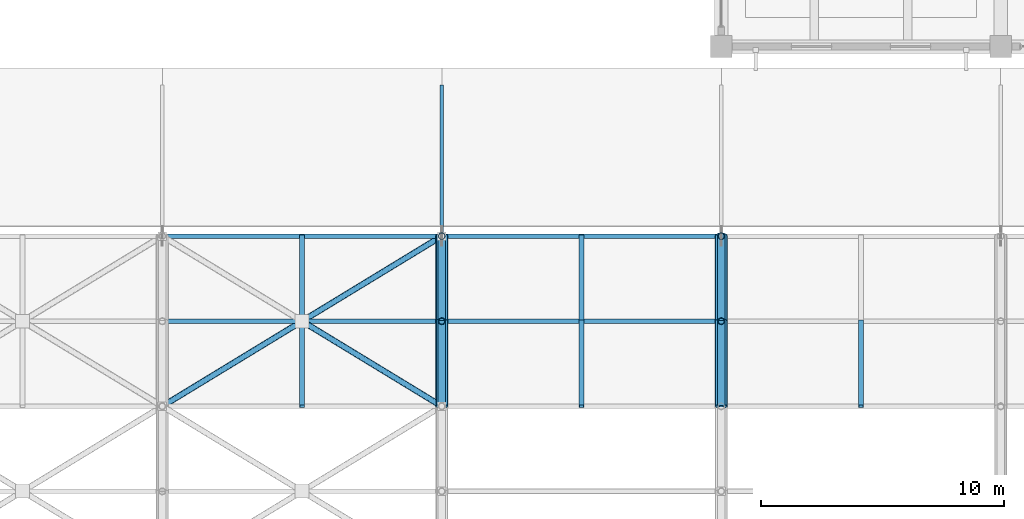
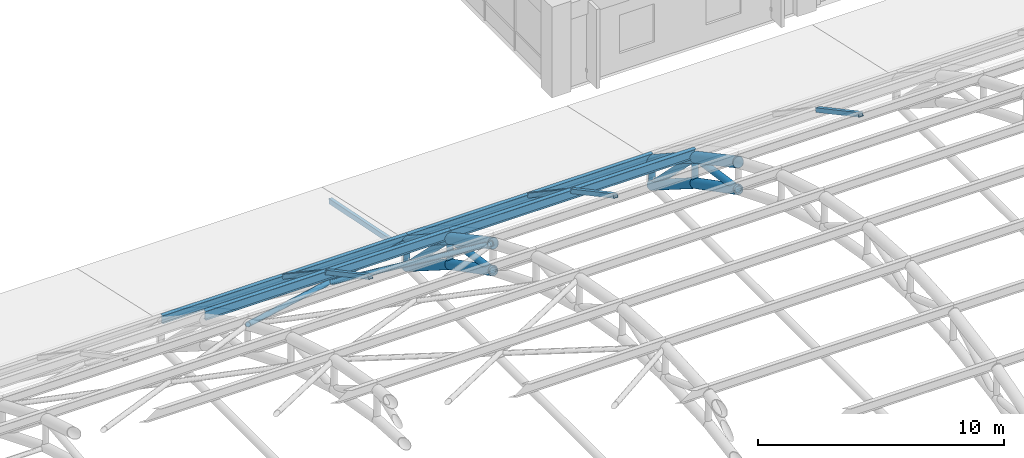
# One storey, part 81 of 154: 28 members.
"""IFC4 building model written with IfcOpenShell, lengths in metres."""

from ifc_helpers import new_model, si_unit, direction, frame, origin, origin_2d, place, context, subcontext, project, spatial, hollow_rectangle, hollow_circle, i_section, extrude, material, material_profile, profile_set, type_object, element, save


model = new_model("IFC4")

# Units and contexts
model_context = context("Model", 3, precision=1e-05, world=origin(), true_north=direction((0.0, 1.0)))
body_context = subcontext(model_context, "Body", "Model", "MODEL_VIEW")
ifc_project = project(units=[si_unit("LENGTHUNIT", "METRE"), si_unit("AREAUNIT", "SQUARE_METRE"), si_unit("VOLUMEUNIT", "CUBIC_METRE"), si_unit("PLANEANGLEUNIT", "RADIAN"), si_unit("MASSUNIT", "GRAM", prefix="KILO")], contexts=[model_context])

# Site, building, storey
site_placement = place(None, origin())
site = spatial("IfcSite", under=ifc_project, at=site_placement, CompositionType="ELEMENT")
building_placement = place(site_placement, origin())
building = spatial("IfcBuilding", under=site, at=building_placement, Name="Ologun Quay Terminus", CompositionType="ELEMENT")
storey_placement = place(building_placement, frame((0.0, 0.0, 13.800048828125)))
storey = spatial("IfcBuildingStorey", under=building, at=storey_placement, Name="L03", CompositionType="ELEMENT", Elevation=13.800048828125)

# Members
ifc_material_1 = material(Name="Steel S355", Category="steel")
ifc_material_profile_1 = material_profile(ifc_material_1, hollow_circle(Radius=0.136474609375, WallThickness=0.010009765625, at=origin_2d()), Name="CHS 273x10")
ifc_profile_set_1 = profile_set([ifc_material_profile_1], Name="Steel S355")
member_type_1 = type_object("IfcMemberType", Name="Arch Truss Vertical Post CHS273", PredefinedType="STRUT", material=ifc_profile_set_1)
member_1_placement = place(storey_placement, frame((103.5, 74.5, 2.212158203125), z_axis=(0.0, 0.0, 1.0), x_axis=(1.0, 0.0, 0.0)))
element("IfcMember", 1, at=member_1_placement, inside=storey, type_object=member_type_1, Name="AW2 Arch Web Post 10-N11", PredefinedType="STRUT", context=body_context, shape_type="SweptSolid", body=[
    extrude(hollow_circle(Radius=0.136474609375, WallThickness=0.010009765625, at=origin_2d()), origin(), (0.0, 0.0, 1.0), 1.28564453125),
])
member_2_placement = place(storey_placement, frame((103.5, 78.0, 0.0), z_axis=(0.0, 0.0, 1.0), x_axis=(1.0, 0.0, 0.0)))
element("IfcMember", 2, at=member_2_placement, inside=storey, type_object=member_type_1, Name="AW2 Arch Web Post 10-N12", PredefinedType="STRUT", context=body_context, shape_type="SweptSolid", body=[
    extrude(hollow_circle(Radius=0.136474609375, WallThickness=0.010009765625, at=origin_2d()), origin(), (0.0, 0.0, 1.0), 1.199951171875),
])
member_3_placement = place(storey_placement, frame((115.0, 74.5, 2.212158203125), z_axis=(0.0, 0.0, 1.0), x_axis=(1.0, 0.0, 0.0)))
element("IfcMember", 3, at=member_3_placement, inside=storey, type_object=member_type_1, Name="AW2 Arch Web Post 11-N11", PredefinedType="STRUT", context=body_context, shape_type="SweptSolid", body=[
    extrude(hollow_circle(Radius=0.136474609375, WallThickness=0.010009765625, at=origin_2d()), origin(), (0.0, 0.0, 1.0), 1.28564453125),
])
member_4_placement = place(storey_placement, frame((115.0, 78.0, 0.0), z_axis=(0.0, 0.0, 1.0), x_axis=(1.0, 0.0, 0.0)))
element("IfcMember", 4, at=member_4_placement, inside=storey, type_object=member_type_1, Name="AW2 Arch Web Post 11-N12", PredefinedType="STRUT", context=body_context, shape_type="SweptSolid", body=[
    extrude(hollow_circle(Radius=0.136474609375, WallThickness=0.010009765625, at=origin_2d()), origin(), (0.0, 0.0, 1.0), 1.199951171875),
])
ifc_material_2 = material(Name="Steel S355", Category="steel")
ifc_material_profile_2 = material_profile(ifc_material_2, hollow_circle(Radius=0.161865234375, WallThickness=0.010009765625, at=origin_2d()), Name="CHS 323.9x10")
ifc_profile_set_2 = profile_set([ifc_material_profile_2], Name="Steel S355")
member_type_2 = type_object("IfcMemberType", Name="Arch Truss Web Diagonal CHS323", PredefinedType="BRACE", material=ifc_profile_set_2)
member_5_placement = place(storey_placement, frame((103.5, 71.0, 4.022216796875), z_axis=(0.0, 0.988960627525, -0.148178531524), x_axis=(-1.0, 0.0, 0.0)))
element("IfcMember", 5, at=member_5_placement, inside=storey, type_object=member_type_2, Name="AW1 Arch Web Diagonal 10-P11", PredefinedType="BRACE", context=body_context, shape_type="SweptSolid", body=[
    extrude(hollow_circle(Radius=0.161865234375, WallThickness=0.010009765625, at=origin_2d()), origin(), (0.0, 0.0, 1.0), 3.5390625),
])
member_6_placement = place(storey_placement, frame((103.5, 74.5, 3.497802734375), z_axis=(0.0, 0.707328773357, -0.706884719301), x_axis=(-1.0, 0.0, 0.0)))
element("IfcMember", 6, at=member_6_placement, inside=storey, type_object=member_type_2, Name="AW1 Arch Web Diagonal 10-P12", PredefinedType="BRACE", context=body_context, shape_type="SweptSolid", body=[
    extrude(hollow_circle(Radius=0.161865234375, WallThickness=0.010009765625, at=origin_2d()), origin(), (0.0, 0.0, 1.0), 4.9482421875),
])
member_7_placement = place(storey_placement, frame((115.0, 71.0, 4.022216796875), z_axis=(0.0, 0.988960627525, -0.148178531524), x_axis=(-1.0, 0.0, 0.0)))
element("IfcMember", 7, at=member_7_placement, inside=storey, type_object=member_type_2, Name="AW1 Arch Web Diagonal 11-P11", PredefinedType="BRACE", context=body_context, shape_type="SweptSolid", body=[
    extrude(hollow_circle(Radius=0.161865234375, WallThickness=0.010009765625, at=origin_2d()), origin(), (0.0, 0.0, 1.0), 3.5390625),
])
member_8_placement = place(storey_placement, frame((115.0, 74.5, 3.497802734375), z_axis=(0.0, 0.707328773357, -0.706884719301), x_axis=(-1.0, 0.0, 0.0)))
element("IfcMember", 8, at=member_8_placement, inside=storey, type_object=member_type_2, Name="AW1 Arch Web Diagonal 11-P12", PredefinedType="BRACE", context=body_context, shape_type="SweptSolid", body=[
    extrude(hollow_circle(Radius=0.161865234375, WallThickness=0.010009765625, at=origin_2d()), origin(), (0.0, 0.0, 1.0), 4.9482421875),
])
ifc_material_3 = material(Name="Steel S355", Category="steel")
ifc_material_profile_3 = material_profile(ifc_material_3, hollow_circle(Radius=0.228515625, WallThickness=0.01611328125, at=origin_2d()), Name="CHS 457x16")
ifc_profile_set_3 = profile_set([ifc_material_profile_3], Name="Steel S355")
member_type_3 = type_object("IfcMemberType", Name="Parabolic Arch Bottom Chord CHS457", PredefinedType="CHORD", material=ifc_profile_set_3)
member_9_placement = place(storey_placement, frame((103.5, 71.0, 4.022216796875), z_axis=(0.0, 0.888247284083, -0.459365608551), x_axis=(-1.0, 0.0, 0.0)))
element("IfcMember", 9, at=member_9_placement, inside=storey, type_object=member_type_3, Name="AC2 Arch Bottom Chord 10-P11", PredefinedType="CHORD", context=body_context, shape_type="SweptSolid", body=[
    extrude(hollow_circle(Radius=0.228515625, WallThickness=0.01611328125, at=origin_2d()), origin(), (0.0, 0.0, 1.0), 3.9404296875),
])
member_10_placement = place(storey_placement, frame((103.5, 74.5, 2.212158203125), z_axis=(0.0, 0.845310912611, -0.534274705578), x_axis=(-1.0, 0.0, 0.0)))
element("IfcMember", 10, at=member_10_placement, inside=storey, type_object=member_type_3, Name="AC2 Arch Bottom Chord 10-P12", PredefinedType="CHORD", context=body_context, shape_type="SweptSolid", body=[
    extrude(hollow_circle(Radius=0.228515625, WallThickness=0.01611328125, at=origin_2d()), origin(), (0.0, 0.0, 1.0), 4.140380859375),
])
member_11_placement = place(storey_placement, frame((115.0, 71.0, 4.022216796875), z_axis=(0.0, 0.888247284083, -0.459365608551), x_axis=(-1.0, 0.0, 0.0)))
element("IfcMember", 11, at=member_11_placement, inside=storey, type_object=member_type_3, Name="AC2 Arch Bottom Chord 11-P11", PredefinedType="CHORD", context=body_context, shape_type="SweptSolid", body=[
    extrude(hollow_circle(Radius=0.228515625, WallThickness=0.01611328125, at=origin_2d()), origin(), (0.0, 0.0, 1.0), 3.9404296875),
])
member_12_placement = place(storey_placement, frame((115.0, 74.5, 2.212158203125), z_axis=(0.0, 0.845310912611, -0.534274705578), x_axis=(-1.0, 0.0, 0.0)))
element("IfcMember", 12, at=member_12_placement, inside=storey, type_object=member_type_3, Name="AC2 Arch Bottom Chord 11-P12", PredefinedType="CHORD", context=body_context, shape_type="SweptSolid", body=[
    extrude(hollow_circle(Radius=0.228515625, WallThickness=0.01611328125, at=origin_2d()), origin(), (0.0, 0.0, 1.0), 4.140380859375),
])
ifc_material_4 = material(Name="Steel S355", Category="steel")
ifc_material_profile_4 = material_profile(ifc_material_4, hollow_circle(Radius=0.25390625, WallThickness=0.01611328125, at=origin_2d()), Name="CHS 508x16")
ifc_profile_set_4 = profile_set([ifc_material_profile_4], Name="Steel S355")
member_type_4 = type_object("IfcMemberType", Name="Parabolic Arch Top Chord CHS508", PredefinedType="CHORD", material=ifc_profile_set_4)
member_13_placement = place(storey_placement, frame((103.5, 71.0, 5.377685546875), z_axis=(0.0, 0.880967864924, -0.473176099324), x_axis=(-1.0, 0.0, 0.0)))
element("IfcMember", 13, at=member_13_placement, inside=storey, type_object=member_type_4, Name="Arch Top Chord 10-P11", PredefinedType="CHORD", context=body_context, shape_type="SweptSolid", body=[
    extrude(hollow_circle(Radius=0.25390625, WallThickness=0.01611328125, at=origin_2d()), origin(), (0.0, 0.0, 1.0), 3.972900390625),
])
member_14_placement = place(storey_placement, frame((103.5, 74.5, 3.497802734375), z_axis=(0.0, 0.835940905918, -0.548819461949), x_axis=(-1.0, 0.0, 0.0)))
element("IfcMember", 14, at=member_14_placement, inside=storey, type_object=member_type_4, Name="Arch Top Chord 10-P12", PredefinedType="CHORD", context=body_context, shape_type="SweptSolid", body=[
    extrude(hollow_circle(Radius=0.25390625, WallThickness=0.01611328125, at=origin_2d()), origin(), (0.0, 0.0, 1.0), 4.18701171875),
])
member_15_placement = place(storey_placement, frame((115.0, 71.0, 5.377685546875), z_axis=(0.0, 0.880967864924, -0.473176099324), x_axis=(-1.0, 0.0, 0.0)))
element("IfcMember", 15, at=member_15_placement, inside=storey, type_object=member_type_4, Name="Arch Top Chord 11-P11", PredefinedType="CHORD", context=body_context, shape_type="SweptSolid", body=[
    extrude(hollow_circle(Radius=0.25390625, WallThickness=0.01611328125, at=origin_2d()), origin(), (0.0, 0.0, 1.0), 3.972900390625),
])
member_16_placement = place(storey_placement, frame((115.0, 74.5, 3.497802734375), z_axis=(0.0, 0.835940905918, -0.548819461949), x_axis=(-1.0, 0.0, 0.0)))
element("IfcMember", 16, at=member_16_placement, inside=storey, type_object=member_type_4, Name="Arch Top Chord 11-P12", PredefinedType="CHORD", context=body_context, shape_type="SweptSolid", body=[
    extrude(hollow_circle(Radius=0.25390625, WallThickness=0.01611328125, at=origin_2d()), origin(), (0.0, 0.0, 1.0), 4.18701171875),
])
ifc_material_5 = material(Name="Steel S355", Category="steel")
ifc_material_profile_5 = material_profile(ifc_material_5, hollow_circle(Radius=0.122314453125, WallThickness=0.008056640625, at=origin_2d()), Name="CHS 244.5x8")
ifc_profile_set_5 = profile_set([ifc_material_profile_5], Name="Steel S355")
member_type_5 = type_object("IfcMemberType", Name="Roof Plan Wind Brace Primary CHS244", PredefinedType="BRACE", material=ifc_profile_set_5)
member_17_placement = place(storey_placement, frame((92.0, 71.0, 5.377685546875), z_axis=(0.815821451603, 0.496586970541, -0.296372636715), x_axis=(-0.519946946896, 0.854198555614, 0.0)))
element("IfcMember", 17, at=member_17_placement, inside=storey, type_object=member_type_5, Name="Roof Wind Brace A B9-K10", PredefinedType="BRACE", context=body_context, shape_type="SweptSolid", body=[
    extrude(hollow_circle(Radius=0.122314453125, WallThickness=0.008056640625, at=origin_2d()), origin(), (0.0, 0.0, 1.0), 14.09619140625),
])
member_18_placement = place(storey_placement, frame((97.8642578125, 74.430419921875, 3.330322265625), z_axis=(0.815823185614, -0.496583416265, 0.29637381886), x_axis=(0.51994342513, 0.854200699288, 0.0)))
element("IfcMember", 18, at=member_18_placement, inside=storey, type_object=member_type_5, Name="Roof Wind Brace B2 B9-K10", PredefinedType="BRACE", context=body_context, shape_type="SweptSolid", body=[
    extrude(hollow_circle(Radius=0.122314453125, WallThickness=0.008056640625, at=origin_2d()), origin(), (0.0, 0.0, 1.0), 6.907958984375),
])
ifc_material_6 = material(Name="Steel S355", Category="steel")
ifc_material_profile_6 = material_profile(ifc_material_6, hollow_rectangle(XDim=0.199951171875, YDim=0.199951171875, WallThickness=0.008056640625, at=origin_2d()), Name="SHS 200x200x8")
ifc_profile_set_6 = profile_set([ifc_material_profile_6], Name="Steel S355")
member_type_6 = type_object("IfcMemberType", Name="Skylight Cross Transom Bar RHS150", PredefinedType="STRUT", material=ifc_profile_set_6)
member_19_placement = place(storey_placement, frame((97.75, 71.0, 5.731689453125), z_axis=(0.0, 0.880967864924, -0.473176099324), x_axis=(-1.0, 0.0, 0.0)))
element("IfcMember", 19, at=member_19_placement, inside=storey, type_object=member_type_6, Name="SK2 Eave Secondary Rafter B9-P11", PredefinedType="STRUT", context=body_context, shape_type="SweptSolid", body=[
    extrude(hollow_rectangle(XDim=0.199951171875, YDim=0.199951171875, WallThickness=0.008056640625, at=origin_2d()), origin(), (0.0, 0.0, 1.0), 3.972900390625),
])
member_20_placement = place(storey_placement, frame((97.75, 74.5, 3.851806640625), z_axis=(0.0, 0.830398014247, -0.55717065423), x_axis=(-1.0, 0.0, 0.0)))
element("IfcMember", 20, at=member_20_placement, inside=storey, type_object=member_type_6, Name="SK2 Eave Secondary Rafter B9-P12", PredefinedType="STRUT", context=body_context, shape_type="SweptSolid", body=[
    extrude(hollow_rectangle(XDim=0.199951171875, YDim=0.199951171875, WallThickness=0.008056640625, at=origin_2d()), origin(), (0.0, 0.0, 1.0), 4.21484375),
])
member_21_placement = place(storey_placement, frame((109.25, 71.0, 5.731689453125), z_axis=(0.0, 0.880967864924, -0.473176099324), x_axis=(-1.0, 0.0, 0.0)))
element("IfcMember", 21, at=member_21_placement, inside=storey, type_object=member_type_6, Name="SK2 Eave Secondary Rafter B10-P11", PredefinedType="STRUT", context=body_context, shape_type="SweptSolid", body=[
    extrude(hollow_rectangle(XDim=0.199951171875, YDim=0.199951171875, WallThickness=0.008056640625, at=origin_2d()), origin(), (0.0, 0.0, 1.0), 3.972900390625),
])
member_22_placement = place(storey_placement, frame((109.25, 74.5, 3.851806640625), z_axis=(0.0, 0.830398014247, -0.55717065423), x_axis=(-1.0, 0.0, 0.0)))
element("IfcMember", 22, at=member_22_placement, inside=storey, type_object=member_type_6, Name="SK2 Eave Secondary Rafter B10-P12", PredefinedType="STRUT", context=body_context, shape_type="SweptSolid", body=[
    extrude(hollow_rectangle(XDim=0.199951171875, YDim=0.199951171875, WallThickness=0.008056640625, at=origin_2d()), origin(), (0.0, 0.0, 1.0), 4.21484375),
])
member_23_placement = place(storey_placement, frame((120.75, 71.0, 5.731689453125), z_axis=(0.0, 0.880967864924, -0.473176099324), x_axis=(-1.0, 0.0, 0.0)))
element("IfcMember", 23, at=member_23_placement, inside=storey, type_object=member_type_6, Name="SK2 Eave Secondary Rafter B11-P11", PredefinedType="STRUT", context=body_context, shape_type="SweptSolid", body=[
    extrude(hollow_rectangle(XDim=0.199951171875, YDim=0.199951171875, WallThickness=0.008056640625, at=origin_2d()), origin(), (0.0, 0.0, 1.0), 3.972900390625),
])
ifc_material_7 = material(Name="Steel S355", Category="steel")
ifc_material_profile_7 = material_profile(ifc_material_7, hollow_rectangle(XDim=0.14990234375, YDim=0.25, WallThickness=0.008056640625, at=origin_2d()), Name="RHS 250x150x8")
ifc_profile_set_7 = profile_set([ifc_material_profile_7], Name="Steel S355")
member_type_7 = type_object("IfcMemberType", Name="Skylight Longitudinal Glazing Bar RHS200", PredefinedType="PURLIN", material=ifc_profile_set_7)
member_24_placement = place(storey_placement, frame((103.5, 84.199951171875, -0.520263671875), z_axis=(0.0, -0.98005285553, 0.19873701308), x_axis=(1.0, 0.0, 0.0)))
element("IfcMember", 24, at=member_24_placement, inside=storey, type_object=member_type_7, Name="SK1 Inclined Roof Rafter L03-NGAL-10", PredefinedType="PURLIN", context=body_context, shape_type="SweptSolid", body=[
    extrude(hollow_rectangle(XDim=0.14990234375, YDim=0.25, WallThickness=0.008056640625, at=origin_2d()), origin(), (0.0, 0.0, 1.0), 6.16064453125),
])
ifc_material_8 = material(Name="Steel S355", Category="steel")
ifc_material_profile_8 = material_profile(ifc_material_8, i_section(OverallWidth=0.177978515625, OverallDepth=0.406494140625, WebThickness=0.0078125, FlangeThickness=0.0126953125, at=origin_2d()), Name="UKB 406x178x60")
ifc_profile_set_8 = profile_set([ifc_material_profile_8], Name="Steel S355")
member_type_8 = type_object("IfcMemberType", Name="Train Shed Eave & Ridge Purlin UKB406", PredefinedType="PURLIN", material=ifc_profile_set_8)
for number, where, z_axis, x_axis, name in (
    (25, (92.0, 78.0, 1.403076171875), (1.0, 0.0, 0.0), (0.0, 1.0, 0.0), "PR2 Roof Purlin B9-N12"),
    (26, (103.5, 78.0, 1.403076171875), (1.0, 0.0, 0.0), (0.0, 1.0, 0.0), "PR2 Roof Purlin B10-N12"),
):
    element("IfcMember", number, at=place(storey_placement, frame(where, z_axis=z_axis, x_axis=x_axis)), inside=storey, type_object=member_type_8, Name=name, PredefinedType="PURLIN", context=body_context, shape_type="SweptSolid", body=[
        extrude(i_section(OverallWidth=0.177978515625, OverallDepth=0.406494140625, WebThickness=0.0078125, FlangeThickness=0.0126953125, at=origin_2d()), origin(), (0.0, 0.0, 1.0), 11.5),
    ])
ifc_material_9 = material(Name="Steel S355", Category="steel")
ifc_material_profile_9 = material_profile(ifc_material_9, i_section(OverallWidth=0.1904296875, OverallDepth=0.45703125, WebThickness=0.009033203125, FlangeThickness=0.014404296875, at=origin_2d()), Name="UKB 457x191x74")
ifc_profile_set_9 = profile_set([ifc_material_profile_9], Name="Steel S355")
member_type_9 = type_object("IfcMemberType", Name="Train Shed Primary Roof Purlin UKB457", PredefinedType="PURLIN", material=ifc_profile_set_9)
for number, where, z_axis, x_axis, name in (
    (27, (92.0, 74.5, 3.726318359375), (1.0, 0.0, 0.0), (0.0, 1.0, 0.0), "PR1 Roof Purlin B9-N11"),
    (28, (103.5, 74.5, 3.726318359375), (1.0, 0.0, 0.0), (0.0, 1.0, 0.0), "PR1 Roof Purlin B10-N11"),
):
    element("IfcMember", number, at=place(storey_placement, frame(where, z_axis=z_axis, x_axis=x_axis)), inside=storey, type_object=member_type_9, Name=name, PredefinedType="PURLIN", context=body_context, shape_type="SweptSolid", body=[
        extrude(i_section(OverallWidth=0.1904296875, OverallDepth=0.45703125, WebThickness=0.009033203125, FlangeThickness=0.014404296875, at=origin_2d()), origin(), (0.0, 0.0, 1.0), 11.5),
    ])

save(model, "model.ifc")
